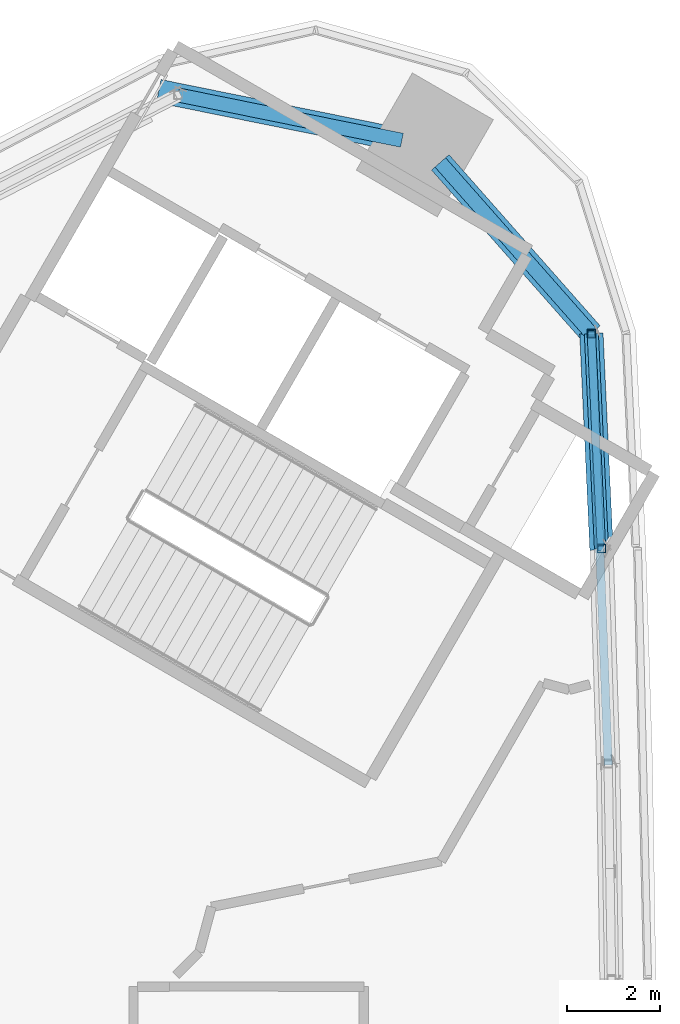
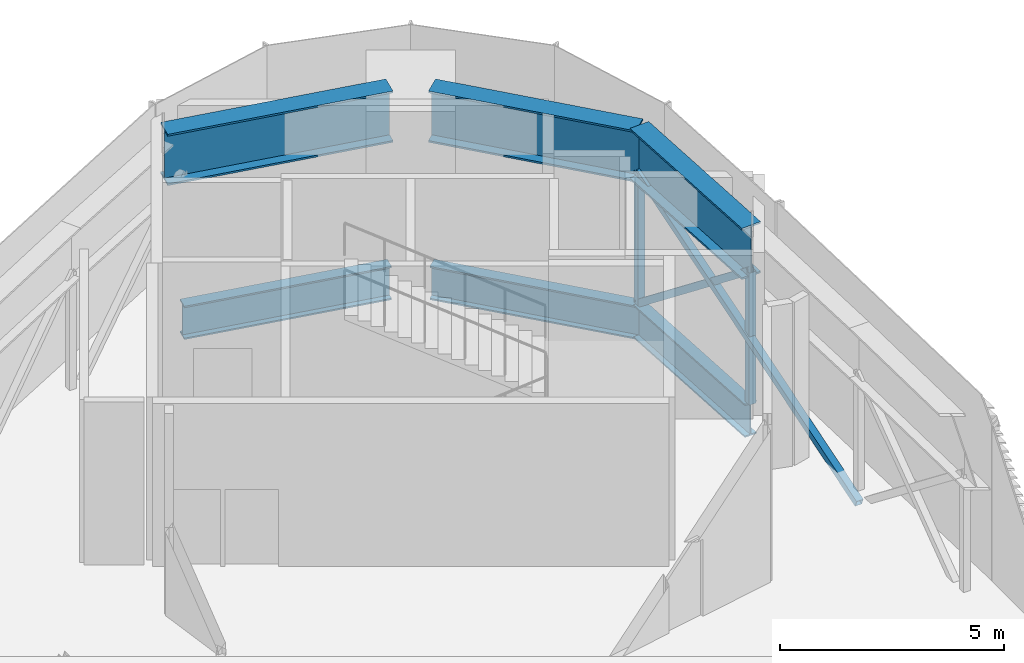
# One storey, part 8 of 21: 6 beams, 4 members.
"""IFC4 building model written with IfcOpenShell, lengths in metres."""

from ifc_helpers import new_model, si_unit, direction, frame, origin, origin_2d, place, context, subcontext, project, spatial, hollow_rectangle, i_section, extrude, material, material_profile, profile_set, type_object, element, save


model = new_model("IFC4")

# Units and contexts
model_context = context("Model", 3, precision=1e-05, world=origin(), true_north=direction((0.0, 1.0)))
body_context = subcontext(model_context, "Body", "Model", "MODEL_VIEW")
ifc_project = project(units=[si_unit("LENGTHUNIT", "METRE"), si_unit("AREAUNIT", "SQUARE_METRE"), si_unit("VOLUMEUNIT", "CUBIC_METRE"), si_unit("PLANEANGLEUNIT", "RADIAN"), si_unit("MASSUNIT", "GRAM", prefix="KILO")], contexts=[model_context])

# Site, building, storey
site_placement = place(None, origin())
site = spatial("IfcSite", under=ifc_project, at=site_placement, CompositionType="ELEMENT")
building_placement = place(site_placement, origin())
building = spatial("IfcBuilding", under=site, at=building_placement, Name="Tamra Quay Hotel Tower", CompositionType="ELEMENT")
storey_placement = place(building_placement, frame((0.0, 0.0, 301.800048828125)))
storey = spatial("IfcBuildingStorey", under=building, at=storey_placement, Name="L76", CompositionType="ELEMENT", Elevation=301.800048828125)

# Members
ifc_material = material(Name="Structural steel IS 2062 E350", Category="steel")
ifc_material_profile_1 = material_profile(ifc_material, hollow_rectangle(XDim=0.179931640625, YDim=0.179931640625, WallThickness=0.008056640625, at=origin_2d()), Name="SHS 180x180x8")
ifc_profile_set_1 = profile_set([ifc_material_profile_1], Name="Structural steel IS 2062 E350")
member_type = type_object("IfcMemberType", Name="BELT BRACE SHS 180x180x8 Z6", PredefinedType="BRACE", material=ifc_profile_set_1)
member_1_placement = place(storey_placement, frame((15.56201171875, 6.909912109375, -0.400146484375), z_axis=(-0.03635309621, 0.930718237787, 0.36392583619), x_axis=(-0.999238061728, -0.039029424717, 0.0)))
element("IfcMember", 1, at=member_1_placement, inside=storey, type_object=member_type, Name="BR-L76-012", PredefinedType="BRACE", context=body_context, shape_type="SweptSolid", body=[
    extrude(hollow_rectangle(XDim=0.179931640625, YDim=0.179931640625, WallThickness=0.008056640625, at=origin_2d()), origin(), (0.0, 0.0, 1.0), 9.892333984375),
])
member_2_placement = place(storey_placement, frame((15.418212890625, 11.51513671875, -0.400146484375), z_axis=(0.0, 0.0, 1.0), x_axis=(1.0, 0.0, 0.0)))
element("IfcMember", 2, at=member_2_placement, inside=storey, type_object=member_type, Name="BR-L76-013", PredefinedType="BRACE", context=body_context, shape_type="SweptSolid", body=[
    extrude(hollow_rectangle(XDim=0.179931640625, YDim=0.179931640625, WallThickness=0.008056640625, at=origin_2d()), origin(), (0.0, 0.0, 1.0), 3.60009765625),
])
member_3_placement = place(storey_placement, frame((15.202392578125, 16.116943359375, -0.400146484375), z_axis=(0.036913181228, -0.787077548606, 0.615748609037), x_axis=(0.998902050925, 0.04684754698, 0.0)))
element("IfcMember", 3, at=member_3_placement, inside=storey, type_object=member_type, Name="BR-L76-014", PredefinedType="BRACE", context=body_context, shape_type="SweptSolid", body=[
    extrude(hollow_rectangle(XDim=0.179931640625, YDim=0.179931640625, WallThickness=0.008056640625, at=origin_2d()), origin(), (0.0, 0.0, 1.0), 5.8466796875),
])
member_4_placement = place(storey_placement, frame((15.202392578125, 16.116943359375, -0.400146484375), z_axis=(0.0, 0.0, 1.0), x_axis=(1.0, 0.0, 0.0)))
element("IfcMember", 4, at=member_4_placement, inside=storey, type_object=member_type, Name="BR-L76-015", PredefinedType="BRACE", context=body_context, shape_type="SweptSolid", body=[
    extrude(hollow_rectangle(XDim=0.179931640625, YDim=0.179931640625, WallThickness=0.008056640625, at=origin_2d()), origin(), (0.0, 0.0, 1.0), 3.60009765625),
])

# Beams
ifc_material_profile_2 = material_profile(ifc_material, i_section(OverallWidth=0.302001953125, OverallDepth=0.909912109375, WebThickness=0.027099609375, FlangeThickness=0.0400390625, at=origin_2d()), Name="WPB 900x300x333")
ifc_profile_set_2 = profile_set([ifc_material_profile_2], Name="Structural steel IS 2062 E350")
beam_type_1 = type_object("IfcBeamType", Name="BELT CHORD WPB 900x300x333 Z6", PredefinedType="BEAM", material=ifc_profile_set_2)
beam_1_placement = place(storey_placement, frame((15.418212890625, 11.51513671875, -0.85498046875), z_axis=(-0.04684754698, 0.998902050925, 0.0), x_axis=(-0.998902050925, -0.04684754698, 0.0)))
element("IfcBeam", 5, at=beam_1_placement, inside=storey, type_object=beam_type_1, Name="BM-CHB-L76-006", PredefinedType="BEAM", context=body_context, shape_type="SweptSolid", body=[
    extrude(i_section(OverallWidth=0.302001953125, OverallDepth=0.909912109375, WebThickness=0.027099609375, FlangeThickness=0.0400390625, at=origin_2d()), origin(), (0.0, 0.0, 1.0), 4.60693359375),
])
beam_2_placement = place(storey_placement, frame((15.202392578125, 16.116943359375, -0.85498046875), z_axis=(-0.661864444241, 0.74962354382, 0.0), x_axis=(-0.74962354382, -0.661864444241, 0.0)))
element("IfcBeam", 6, at=beam_2_placement, inside=storey, type_object=beam_type_1, Name="BM-CHB-L76-007", PredefinedType="BEAM", context=body_context, shape_type="SweptSolid", body=[
    extrude(i_section(OverallWidth=0.302001953125, OverallDepth=0.909912109375, WebThickness=0.027099609375, FlangeThickness=0.0400390625, at=origin_2d()), origin(), (0.0, 0.0, 1.0), 4.887939453125),
])
beam_3_placement = place(storey_placement, frame((11.146728515625, 20.25439453125, -0.85498046875), z_axis=(-0.980118808797, 0.198411493224, 0.0), x_axis=(-0.198411493224, -0.980118808797, 0.0)))
element("IfcBeam", 7, at=beam_3_placement, inside=storey, type_object=beam_type_1, Name="BM-CHB-L76-008", PredefinedType="BEAM", context=body_context, shape_type="SweptSolid", body=[
    extrude(i_section(OverallWidth=0.302001953125, OverallDepth=0.909912109375, WebThickness=0.027099609375, FlangeThickness=0.0400390625, at=origin_2d()), origin(), (0.0, 0.0, 1.0), 4.887451171875),
])
ifc_material_profile_3 = material_profile(ifc_material, i_section(OverallWidth=0.5, OverallDepth=1.39990234375, WebThickness=0.02490234375, FlangeThickness=0.050048828125, at=origin_2d()), Name="WPG 1400x500x25x50")
ifc_profile_set_3 = profile_set([ifc_material_profile_3], Name="Structural steel IS 2062 E350")
beam_type_2 = type_object("IfcBeamType", Name="BELT TOP CHORD WPG 1400x500x25x50 Z6", PredefinedType="USERDEFINED", material=ifc_profile_set_3)
beam_4_placement = place(storey_placement, frame((15.41943359375, 11.4873046875, 3.75), z_axis=(-0.046829335149, 0.998902904876, 0.0), x_axis=(-0.998902904876, -0.046829335149, 0.0)))
element("IfcBeam", 8, at=beam_4_placement, inside=storey, type_object=beam_type_2, Name="BM-CHT-L76-006", ObjectType="TRANSFER GIRDER", PredefinedType="USERDEFINED", context=body_context, shape_type="SweptSolid", body=[
    extrude(i_section(OverallWidth=0.5, OverallDepth=1.39990234375, WebThickness=0.02490234375, FlangeThickness=0.050048828125, at=origin_2d()), origin(), (0.0, 0.0, 1.0), 4.634765625),
])
beam_5_placement = place(storey_placement, frame((15.202392578125, 16.116943359375, 3.75), z_axis=(-0.661864444241, 0.74962354382, 0.0), x_axis=(-0.74962354382, -0.661864444241, 0.0)))
element("IfcBeam", 9, at=beam_5_placement, inside=storey, type_object=beam_type_2, Name="BM-CHT-L76-007", ObjectType="TRANSFER GIRDER", PredefinedType="USERDEFINED", context=body_context, shape_type="SweptSolid", body=[
    extrude(i_section(OverallWidth=0.5, OverallDepth=1.39990234375, WebThickness=0.02490234375, FlangeThickness=0.050048828125, at=origin_2d()), origin(), (0.0, 0.0, 1.0), 4.887939453125),
])
beam_6_placement = place(storey_placement, frame((11.146728515625, 20.25439453125, 3.75), z_axis=(-0.980111244017, 0.198448858279, 0.0), x_axis=(-0.198448858279, -0.980111244017, 0.0)))
element("IfcBeam", 10, at=beam_6_placement, inside=storey, type_object=beam_type_2, Name="BM-CHT-L76-008", ObjectType="TRANSFER GIRDER", PredefinedType="USERDEFINED", context=body_context, shape_type="SweptSolid", body=[
    extrude(i_section(OverallWidth=0.5, OverallDepth=1.39990234375, WebThickness=0.02490234375, FlangeThickness=0.050048828125, at=origin_2d()), origin(), (0.0, 0.0, 1.0), 5.312255859375),
])

save(model, "model.ifc")
